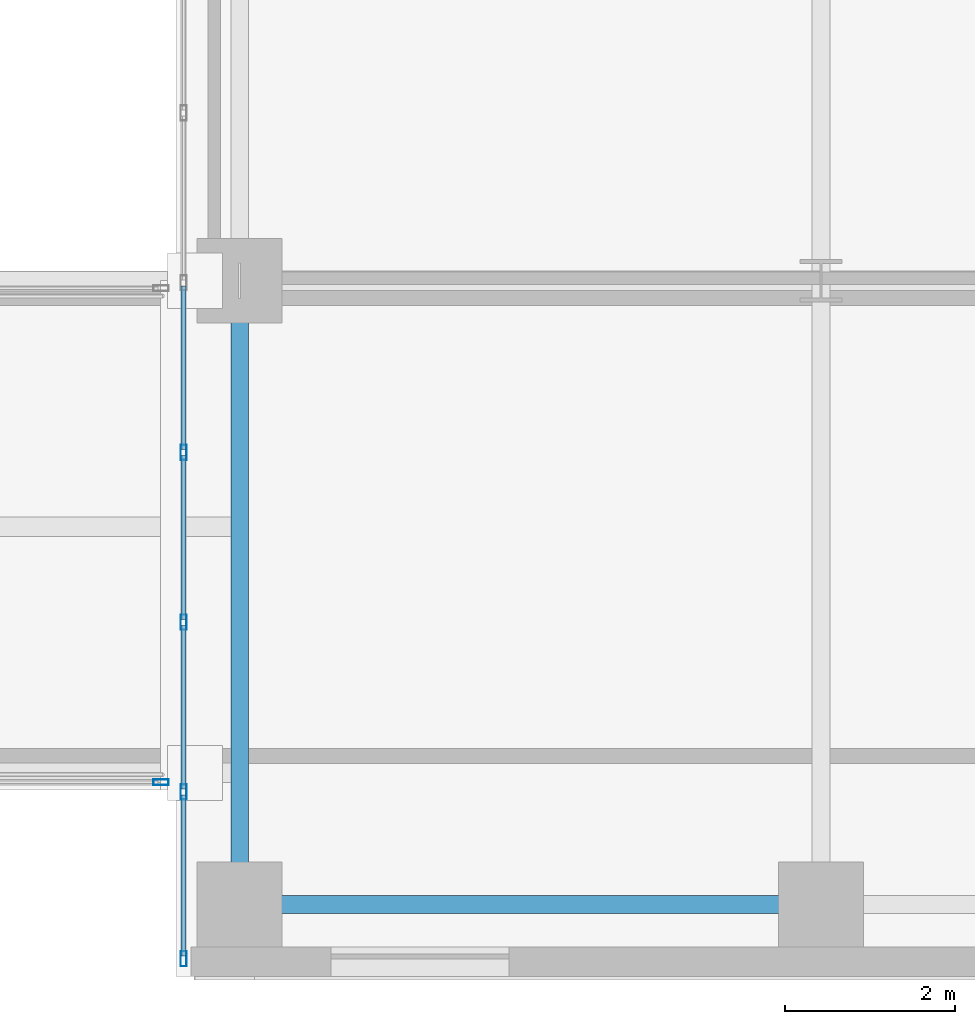
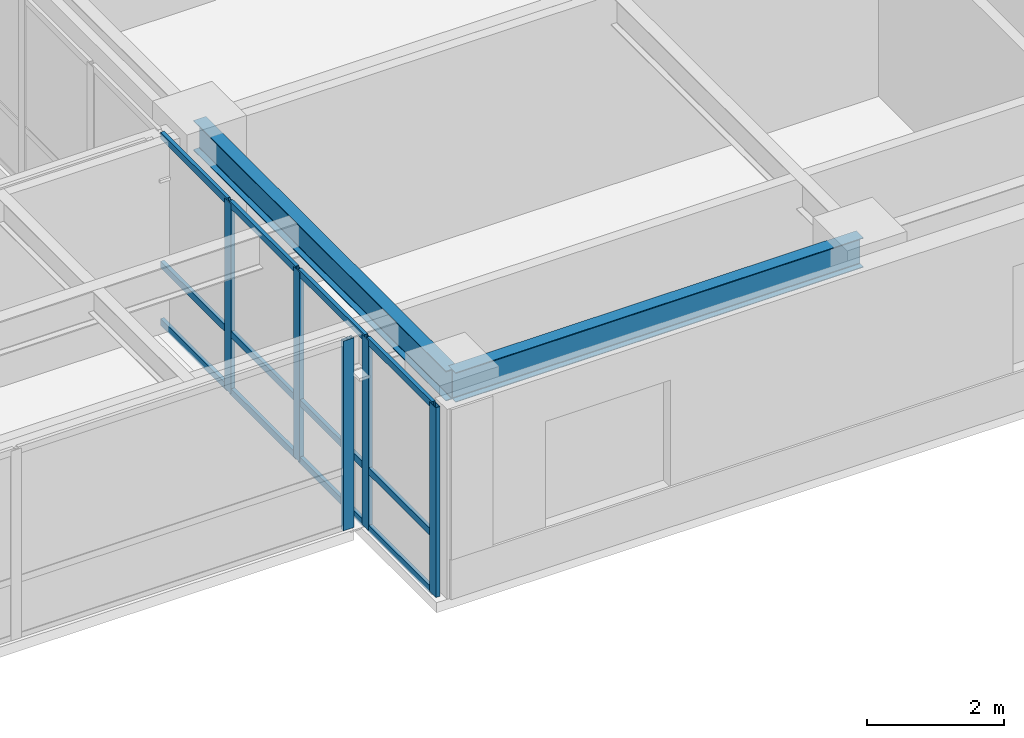
# One storey, part 8 of 31: 17 members, 2 beams, 2 elements without a shape of their own.
"""IFC4 building model written with IfcOpenShell, lengths in metres."""

import ifcopenshell
import ifcopenshell.guid

model = None  # the IFC model being written
_history = None  # IfcOwnerHistory: only IFC2X3 demands one
_inside = {}  # id of a spatial element -> (the spatial element, [elements in it])
_under = {}  # id of a project, library or spatial element -> (it, [spatial elements below it])
_declared = {}  # id of a project -> (the project, [libraries it declares])
_typed = {}  # id of a type object -> (the type object, [elements of that type])
_made_of = {}  # id of a material, layer set ... -> (it, [elements and type objects made of it])


def new_model(schema):
    """Start an empty IFC model of exactly this schema.

    Asked for "IFC4X3", IfcOpenShell would pick the latest addendum, in which some entities
    have other attributes; the version numbers below select the first issue.
    IFC2X3 requires an IfcOwnerHistory on every rooted entity: one is made here for all.
    """
    global model, _history
    if schema == "IFC4X3":
        model = ifcopenshell.file(schema_version=(4, 3, 0, 0))
    else:
        model = ifcopenshell.file(schema=schema)
    _inside.clear()
    _under.clear()
    _declared.clear()
    _typed.clear()
    _made_of.clear()
    _history = None
    if model.schema == "IFC2X3":
        org = make("IfcOrganization", Name="unknown")
        user = make(
            "IfcPersonAndOrganization",
            ThePerson=make("IfcPerson", FamilyName="unknown"),
            TheOrganization=org,
        )
        app = make(
            "IfcApplication",
            ApplicationDeveloper=org,
            Version="unknown",
            ApplicationFullName="unknown",
            ApplicationIdentifier="unknown",
        )
        _history = make(
            "IfcOwnerHistory",
            OwningUser=user,
            OwningApplication=app,
            ChangeAction="ADDED",
            CreationDate=0,
        )
    return model


def make(cls, **values):
    """One entity of the class cls with the attributes given. An attribute that is None is left unset."""
    return model.create_entity(
        cls, **{name: value for name, value in values.items() if value is not None}
    )


def rooted(cls, **values):
    """An entity with a GlobalId (a new one), such as an element, a storey or a relation."""
    return make(cls, GlobalId=ifcopenshell.guid.new(), OwnerHistory=_history, **values)


def si_unit(unit_type, name, prefix=None):
    """IfcSIUnit, for example si_unit("LENGTHUNIT", "METRE", prefix="MILLI")."""
    return make("IfcSIUnit", UnitType=unit_type, Prefix=prefix, Name=name)


def assignment(units):
    """IfcUnitAssignment: the units of a project."""
    return None if units is None else make("IfcUnitAssignment", Units=units)


def point(xyz):
    """IfcCartesianPoint."""
    return None if xyz is None else make("IfcCartesianPoint", Coordinates=xyz)


def direction(xyz):
    """IfcDirection."""
    return None if xyz is None else make("IfcDirection", DirectionRatios=xyz)


def frame(location, z_axis=None, x_axis=None):
    """IfcAxis2Placement3D, a coordinate frame: its origin and axes. An axis left out is left unset."""
    return make(
        "IfcAxis2Placement3D",
        Location=point(location),
        Axis=direction(z_axis),
        RefDirection=direction(x_axis),
    )


def frame_2d(location, x_axis=None):
    """IfcAxis2Placement2D, a coordinate frame in the plane: its origin and x axis."""
    return make(
        "IfcAxis2Placement2D", Location=point(location), RefDirection=direction(x_axis)
    )


def origin():
    """The frame at (0, 0, 0) with its axes left unset."""
    return frame((0.0, 0.0, 0.0))


def origin_2d():
    """The frame at (0, 0) in the plane with its x axis left unset."""
    return frame_2d((0.0, 0.0))


def place(relative_to, where):
    """IfcLocalPlacement: puts the frame where relative to a parent placement (None: the world)."""
    return make(
        "IfcLocalPlacement", PlacementRelTo=relative_to, RelativePlacement=where
    )


def context(
    kind, dimensions, precision=None, world=None, true_north=None, identifier=None
):
    """IfcGeometricRepresentationContext, for example the 3D "Model" context."""
    return make(
        "IfcGeometricRepresentationContext",
        ContextIdentifier=identifier,
        ContextType=kind,
        CoordinateSpaceDimension=dimensions,
        Precision=precision,
        WorldCoordinateSystem=world,
        TrueNorth=true_north,
    )


def subcontext(parent, identifier, kind, view, scale=None):
    """IfcGeometricRepresentationSubContext, for example "Body" below "Model"."""
    return make(
        "IfcGeometricRepresentationSubContext",
        ContextIdentifier=identifier,
        ContextType=kind,
        ParentContext=parent,
        TargetScale=scale,
        TargetView=view,
    )


def project(units=None, contexts=None):
    """IfcProject with its units and contexts."""
    return rooted(
        "IfcProject",
        Name="project",
        RepresentationContexts=contexts,
        UnitsInContext=assignment(units),
    )


def spatial(cls, under=None, at=None, **own):
    """A site, building, storey or space (cls), placed at a placement, below another one or the project."""
    s = rooted(cls, ObjectPlacement=at, **own)
    if under is not None:
        _under.setdefault(under.id(), (under, []))[1].append(s)
    return s


def profile(cls, at=None, kind="AREA", **sizes):
    """A parametric profile (cls). Its sizes go by their IFC names, for example OverallWidth=200.0."""
    return make(cls, ProfileType=kind, Position=at, **sizes)


def hollow_rectangle(**sizes):
    """IfcRectangleHollowProfileDef."""
    return profile("IfcRectangleHollowProfileDef", **sizes)


def i_section(**sizes):
    """IfcIShapeProfileDef."""
    return profile("IfcIShapeProfileDef", **sizes)


def extrude(swept, where, along, depth):
    """IfcExtrudedAreaSolid: the profile swept, set in the frame where, extruded along a direction by depth."""
    return make(
        "IfcExtrudedAreaSolid",
        SweptArea=swept,
        Position=where,
        ExtrudedDirection=direction(along),
        Depth=depth,
    )


def shape(context_of_items, identifier, shape_type, items):
    """IfcShapeRepresentation: the items that make up one representation, for example the "Body"."""
    return make(
        "IfcShapeRepresentation",
        ContextOfItems=context_of_items,
        RepresentationIdentifier=identifier,
        RepresentationType=shape_type,
        Items=items,
    )


def source(mapping_origin, context_of_items, identifier, shape_type, items):
    """IfcRepresentationMap: a shape defined once, which mapped items show again and again."""
    return make(
        "IfcRepresentationMap",
        MappingOrigin=mapping_origin,
        MappedRepresentation=shape(context_of_items, identifier, shape_type, items),
    )


def transform(
    local_origin,
    x_axis=None,
    y_axis=None,
    z_axis=None,
    scale=None,
    scale2=None,
    scale3=None,
    uniform=True,
):
    """IfcCartesianTransformationOperator3D, or its non-uniform kind. x_axis, y_axis, z_axis: its Axis1, 2, 3."""
    if uniform:
        return make(
            "IfcCartesianTransformationOperator3D",
            Axis1=direction(x_axis),
            Axis2=direction(y_axis),
            LocalOrigin=point(local_origin),
            Scale=scale,
            Axis3=direction(z_axis),
        )
    return make(
        "IfcCartesianTransformationOperator3DnonUniform",
        Axis1=direction(x_axis),
        Axis2=direction(y_axis),
        LocalOrigin=point(local_origin),
        Scale=scale,
        Axis3=direction(z_axis),
        Scale2=scale2,
        Scale3=scale3,
    )


def mapped(mapping_source, mapping_target):
    """IfcMappedItem: shows the shape of a source again, moved by a transform."""
    return make(
        "IfcMappedItem", MappingSource=mapping_source, MappingTarget=mapping_target
    )


def material(Name=None, Category=None):
    """IfcMaterial."""
    return make("IfcMaterial", Name=Name, Category=Category)


def layer(
    of_material, thickness, ventilated=None, Name=None, Category=None, Priority=None
):
    """IfcMaterialLayer: one layer of a wall or slab, of a material (None: an air gap)."""
    return make(
        "IfcMaterialLayer",
        Material=of_material,
        LayerThickness=thickness,
        IsVentilated=ventilated,
        Name=Name,
        Category=Category,
        Priority=Priority,
    )


def layer_set(layers, Name=None):
    """IfcMaterialLayerSet."""
    return make("IfcMaterialLayerSet", MaterialLayers=layers, LayerSetName=Name)


def material_profile(
    of_material, cross_section, Name=None, Category=None, Priority=None
):
    """IfcMaterialProfile: a cross section and its material."""
    return make(
        "IfcMaterialProfile",
        Name=Name,
        Material=of_material,
        Profile=cross_section,
        Priority=Priority,
        Category=Category,
    )


def profile_set(profiles, Name=None, composite=None):
    """IfcMaterialProfileSet."""
    return make(
        "IfcMaterialProfileSet",
        Name=Name,
        MaterialProfiles=profiles,
        CompositeProfile=composite,
    )


def made_of(thing, what):
    """Note that an element or type object is made of a material, layer set ...; save() writes the relation."""
    if what is not None:
        _made_of.setdefault(what.id(), (what, []))[1].append(thing)
    return thing


def type_object(cls, material=None, **own):
    """A type object (cls), such as IfcWallType, which elements share."""
    return made_of(rooted(cls, **own), material)


def type_shapes(of_type, sources):
    """Give a type object the sources (RepresentationMaps) that its elements show as mapped items."""
    of_type.RepresentationMaps = sources


def element(
    cls,
    number,
    at=None,
    inside=None,
    cuts=None,
    type_object=None,
    material=None,
    context=None,
    identifier="Body",
    shape_type=None,
    held_by="IfcProductDefinitionShape",
    body=None,
    shapes=None,
    **own,
):
    """One element of the class cls, such as IfcWall. Its Tag is "e" and its number.

    at: its placement. inside: the storey or other place that contains it. cuts: it is an
    opening in that element (IfcRelVoidsElement). A single representation is given by context,
    identifier, shape_type and body (its items); several are given by shapes. held_by: the class
    of the entity that holds the representations. save() writes the other relations.
    """
    e = rooted(cls, Tag="e%d" % number, ObjectPlacement=at, **own)
    if body is not None:
        shapes = [shape(context, identifier, shape_type, body)]
    if shapes is not None:
        e.Representation = make(held_by, Representations=shapes)
    if inside is not None:
        _inside.setdefault(inside.id(), (inside, []))[1].append(e)
    if cuts is not None:
        rooted(
            "IfcRelVoidsElement", RelatingBuildingElement=cuts, RelatedOpeningElement=e
        )
    if type_object is not None:
        _typed.setdefault(type_object.id(), (type_object, []))[1].append(e)
    return made_of(e, material)


def aggregate(whole, parts):
    """IfcRelAggregates: a whole, such as a stair, and the parts it consists of."""
    return rooted("IfcRelAggregates", RelatingObject=whole, RelatedObjects=parts)


def save(model, path):
    """Write the relations noted so far, then the file.

    IfcRelAggregates (storeys below a building ...), IfcRelContainedInSpatialStructure (elements
    in a storey), IfcRelDefinesByType, IfcRelAssociatesMaterial and IfcRelDeclares: one each for
    every whole, place, type object, material and project.
    """
    for whole, parts in _under.values():
        aggregate(whole, parts)
    for where, things in _inside.values():
        rooted(
            "IfcRelContainedInSpatialStructure",
            RelatedElements=things,
            RelatingStructure=where,
        )
    for kind, things in _typed.values():
        rooted("IfcRelDefinesByType", RelatedObjects=things, RelatingType=kind)
    for what, things in _made_of.values():
        rooted("IfcRelAssociatesMaterial", RelatedObjects=things, RelatingMaterial=what)
    for by, libraries in _declared.values():
        rooted("IfcRelDeclares", RelatingContext=by, RelatedDefinitions=libraries)
    model.write(path)


model = new_model("IFC4")

# Units and contexts
model_context = context("Model", 3, precision=1e-05, world=origin(), true_north=direction((0.0, 1.0)))
body_context = subcontext(model_context, "Body", "Model", "MODEL_VIEW")
ifc_project = project(units=[si_unit("LENGTHUNIT", "METRE"), si_unit("AREAUNIT", "SQUARE_METRE"), si_unit("VOLUMEUNIT", "CUBIC_METRE"), si_unit("PLANEANGLEUNIT", "RADIAN"), si_unit("MASSUNIT", "GRAM", prefix="KILO")], contexts=[model_context])

# Site, building, storey
site_placement = place(None, origin())
site = spatial("IfcSite", under=ifc_project, at=site_placement, CompositionType="ELEMENT")
building_placement = place(site_placement, origin())
building = spatial("IfcBuilding", under=site, at=building_placement, Name="Tolvann Quenvar Hotel", CompositionType="ELEMENT")
storey_placement = place(building_placement, frame((0.0, 0.0, 74.60009765625)))
storey = spatial("IfcBuildingStorey", under=building, at=storey_placement, Name="L18", CompositionType="ELEMENT", Elevation=74.60009765625)

# Beams
ifc_material_1 = material(Name="Steel Grade 350", Category="steel")
ifc_material_profile_1 = material_profile(ifc_material_1, i_section(OverallWidth=0.208984375, OverallDepth=0.528076171875, WebThickness=0.009521484375, FlangeThickness=0.01318359375, FilletRadius=0.013916015625, at=origin_2d()), Name="530UB82")
ifc_profile_set_1 = profile_set([ifc_material_profile_1], Name="Steel Grade 350")
beam_type_1 = type_object("IfcBeamType", Name="BM_SPAND_530UB82", PredefinedType="SPANDREL", material=ifc_profile_set_1)
shared_shape_1 = source(origin(), body_context, "Body", "SweptSolid", [
    extrude(i_section(OverallWidth=0.208984375, OverallDepth=0.528076171875, WebThickness=0.009521484375, FlangeThickness=0.01318359375, FilletRadius=0.013916015625, at=origin_2d()), origin(), (0.0, 0.0, 1.0), 6.85009765625),
])
type_shapes(beam_type_1, [shared_shape_1])
beam_1_placement = place(storey_placement, frame((34.949951171875, 0.85009765625, 3.10595703125), z_axis=(1.0, 0.0, 0.0), x_axis=(0.0, 1.0, 0.0)))
element("IfcBeam", 1, at=beam_1_placement, inside=storey, type_object=beam_type_1, Name="BM-L18-EW-2-F2-H2", PredefinedType="SPANDREL", context=body_context, shape_type="MappedRepresentation", body=[
    mapped(shared_shape_1, transform((0.0, 0.0, 0.0), x_axis=(1.0, 0.0, 0.0), y_axis=(0.0, 1.0, 0.0), z_axis=(0.0, 0.0, 1.0), scale=1.0)),
])
ifc_material_profile_2 = material_profile(ifc_material_1, i_section(OverallWidth=0.208984375, OverallDepth=0.532958984375, WebThickness=0.01025390625, FlangeThickness=0.015625, FilletRadius=0.013916015625, at=origin_2d()), Name="530UB92")
ifc_profile_set_2 = profile_set([ifc_material_profile_2], Name="Steel Grade 350")
beam_type_2 = type_object("IfcBeamType", Name="BM_GIRD_530UB92", PredefinedType="BEAM", material=ifc_profile_set_2)
shared_shape_2 = source(origin(), body_context, "Body", "SweptSolid", [
    extrude(i_section(OverallWidth=0.208984375, OverallDepth=0.532958984375, WebThickness=0.01025390625, FlangeThickness=0.015625, FilletRadius=0.013916015625, at=origin_2d()), origin(), (0.0, 0.0, 1.0), 7.349853515625),
])
type_shapes(beam_type_2, [shared_shape_2])
beam_2_placement = place(storey_placement, frame((34.949951171875, 0.85009765625, 3.103515625), z_axis=(0.0, 1.0, 0.0), x_axis=(-1.0, 0.0, 0.0)))
element("IfcBeam", 2, at=beam_2_placement, inside=storey, type_object=beam_type_2, Name="BM-L18-NS-F2-F3", PredefinedType="BEAM", context=body_context, shape_type="MappedRepresentation", body=[
    mapped(shared_shape_2, transform((0.0, 0.0, 0.0), x_axis=(1.0, 0.0, 0.0), y_axis=(0.0, 1.0, 0.0), z_axis=(0.0, 0.0, 1.0), scale=1.0)),
])

# Curtain wall, members
ifc_material_2 = material(Name="Thermally broken anodised architectural aluminium 6063-T6 and laminated low-E glass", Category="aluminium")
ifc_layer = layer(ifc_material_2, 0.179931640625)
ifc_layer_set = layer_set([ifc_layer], Name="Thermally broken anodised architectural aluminium 6063-T6 and laminated low-E glass")
curtain_wall_type = type_object("IfcCurtainWallType", Name="CW_SYS_SLOT_03", PredefinedType="USERDEFINED", material=ifc_layer_set)
curtain_wall_1_placement = place(storey_placement, origin())
curtain_wall_1 = element("IfcCurtainWall", 3, at=curtain_wall_1_placement, inside=storey, type_object=curtain_wall_type, Name="Curtain Wall CW-SLOT-03 (CWR-L18-E07)", ObjectType="UNITISED CURTAIN WALL", PredefinedType="USERDEFINED")
ifc_material_3 = material(Name="Anodised architectural aluminium 6063-T6 framing", Category="aluminium")
ifc_material_profile_3 = material_profile(ifc_material_3, hollow_rectangle(XDim=0.06005859375, YDim=0.1201171875, WallThickness=0.00341796875, at=origin_2d()), Name="120x60x3.5RHS")
ifc_profile_set_3 = profile_set([ifc_material_profile_3], Name="Anodised architectural aluminium 6063-T6 framing")
member_type_1 = type_object("IfcMemberType", Name="CW_TRAN_120x60", PredefinedType="USERDEFINED", material=ifc_profile_set_3)
shared_shape_3 = source(origin(), body_context, "Body", "SweptSolid", [
    extrude(hollow_rectangle(XDim=0.06005859375, YDim=0.1201171875, WallThickness=0.00341796875, at=origin_2d()), origin(), (0.0, 0.0, 1.0), 1.894775390625),
])
member_1_placement = place(storey_placement, frame((34.2900390625, 2.139892578125, 0.02978515625), z_axis=(0.0, -1.0, 0.0), x_axis=(1.0, 0.0, 0.0)))
member_1 = element("IfcMember", 4, at=member_1_placement, type_object=member_type_1, Name="CW-SLOT-03 transom 8.1", ObjectType="TRANSOM", PredefinedType="USERDEFINED", context=body_context, shape_type="MappedRepresentation", body=[
    mapped(shared_shape_3, transform((0.0, 0.0, 0.0), x_axis=(1.0, 0.0, 0.0), y_axis=(0.0, 1.0, 0.0), z_axis=(0.0, 0.0, 1.0), scale=1.0)),
])
member_2_placement = place(storey_placement, frame((34.2900390625, 2.139892578125, 1.0498046875), z_axis=(0.0, -1.0, 0.0), x_axis=(1.0, 0.0, 0.0)))
member_2 = element("IfcMember", 5, at=member_2_placement, type_object=member_type_1, Name="CW-SLOT-03 transom 8.2", ObjectType="TRANSOM", PredefinedType="USERDEFINED", context=body_context, shape_type="MappedRepresentation", body=[
    mapped(shared_shape_3, transform((0.0, 0.0, 0.0), x_axis=(1.0, 0.0, 0.0), y_axis=(0.0, 1.0, 0.0), z_axis=(0.0, 0.0, 1.0), scale=1.0)),
])
member_3_placement = place(storey_placement, frame((34.2900390625, 2.139892578125, 3.33984375), z_axis=(0.0, -1.0, 0.0), x_axis=(1.0, 0.0, 0.0)))
member_3 = element("IfcMember", 6, at=member_3_placement, type_object=member_type_1, Name="CW-SLOT-03 transom 8.3", ObjectType="TRANSOM", PredefinedType="USERDEFINED", context=body_context, shape_type="MappedRepresentation", body=[
    mapped(shared_shape_3, transform((0.0, 0.0, 0.0), x_axis=(1.0, 0.0, 0.0), y_axis=(0.0, 1.0, 0.0), z_axis=(0.0, 0.0, 1.0), scale=1.0)),
])
shared_shape_4 = source(origin(), body_context, "Body", "SweptSolid", [
    extrude(hollow_rectangle(XDim=0.06005859375, YDim=0.1201171875, WallThickness=0.00341796875, at=origin_2d()), origin(), (0.0, 0.0, 1.0), 1.929931640625),
])
type_shapes(member_type_1, [shared_shape_3, shared_shape_4])
member_4_placement = place(storey_placement, frame((34.2900390625, 8.139892578125, 0.02978515625), z_axis=(0.0, -1.0, 0.0), x_axis=(1.0, 0.0, 0.0)))
member_4 = element("IfcMember", 7, at=member_4_placement, type_object=member_type_1, Name="CW-SLOT-03 transom 5.1", ObjectType="TRANSOM", PredefinedType="USERDEFINED", context=body_context, shape_type="MappedRepresentation", body=[
    mapped(shared_shape_4, transform((0.0, 0.0, 0.0), x_axis=(1.0, 0.0, 0.0), y_axis=(0.0, 1.0, 0.0), z_axis=(0.0, 0.0, 1.0), scale=1.0)),
])
member_5_placement = place(storey_placement, frame((34.2900390625, 8.139892578125, 1.0498046875), z_axis=(0.0, -1.0, 0.0), x_axis=(1.0, 0.0, 0.0)))
member_5 = element("IfcMember", 8, at=member_5_placement, type_object=member_type_1, Name="CW-SLOT-03 transom 5.2", ObjectType="TRANSOM", PredefinedType="USERDEFINED", context=body_context, shape_type="MappedRepresentation", body=[
    mapped(shared_shape_4, transform((0.0, 0.0, 0.0), x_axis=(1.0, 0.0, 0.0), y_axis=(0.0, 1.0, 0.0), z_axis=(0.0, 0.0, 1.0), scale=1.0)),
])
member_6_placement = place(storey_placement, frame((34.2900390625, 8.139892578125, 3.33984375), z_axis=(0.0, -1.0, 0.0), x_axis=(1.0, 0.0, 0.0)))
member_6 = element("IfcMember", 9, at=member_6_placement, type_object=member_type_1, Name="CW-SLOT-03 transom 5.3", ObjectType="TRANSOM", PredefinedType="USERDEFINED", context=body_context, shape_type="MappedRepresentation", body=[
    mapped(shared_shape_4, transform((0.0, 0.0, 0.0), x_axis=(1.0, 0.0, 0.0), y_axis=(0.0, 1.0, 0.0), z_axis=(0.0, 0.0, 1.0), scale=1.0)),
])
member_7_placement = place(storey_placement, frame((34.2900390625, 6.139892578125, 0.02978515625), z_axis=(0.0, -1.0, 0.0), x_axis=(1.0, 0.0, 0.0)))
member_7 = element("IfcMember", 10, at=member_7_placement, type_object=member_type_1, Name="CW-SLOT-03 transom 6.1", ObjectType="TRANSOM", PredefinedType="USERDEFINED", context=body_context, shape_type="MappedRepresentation", body=[
    mapped(shared_shape_4, transform((0.0, 0.0, 0.0), x_axis=(1.0, 0.0, 0.0), y_axis=(0.0, 1.0, 0.0), z_axis=(0.0, 0.0, 1.0), scale=1.0)),
])
member_8_placement = place(storey_placement, frame((34.2900390625, 6.139892578125, 1.0498046875), z_axis=(0.0, -1.0, 0.0), x_axis=(1.0, 0.0, 0.0)))
member_8 = element("IfcMember", 11, at=member_8_placement, type_object=member_type_1, Name="CW-SLOT-03 transom 6.2", ObjectType="TRANSOM", PredefinedType="USERDEFINED", context=body_context, shape_type="MappedRepresentation", body=[
    mapped(shared_shape_4, transform((0.0, 0.0, 0.0), x_axis=(1.0, 0.0, 0.0), y_axis=(0.0, 1.0, 0.0), z_axis=(0.0, 0.0, 1.0), scale=1.0)),
])
member_9_placement = place(storey_placement, frame((34.2900390625, 6.139892578125, 3.33984375), z_axis=(0.0, -1.0, 0.0), x_axis=(1.0, 0.0, 0.0)))
member_9 = element("IfcMember", 12, at=member_9_placement, type_object=member_type_1, Name="CW-SLOT-03 transom 6.3", ObjectType="TRANSOM", PredefinedType="USERDEFINED", context=body_context, shape_type="MappedRepresentation", body=[
    mapped(shared_shape_4, transform((0.0, 0.0, 0.0), x_axis=(1.0, 0.0, 0.0), y_axis=(0.0, 1.0, 0.0), z_axis=(0.0, 0.0, 1.0), scale=1.0)),
])
member_10_placement = place(storey_placement, frame((34.2900390625, 4.139892578125, 0.02978515625), z_axis=(0.0, -1.0, 0.0), x_axis=(1.0, 0.0, 0.0)))
member_10 = element("IfcMember", 13, at=member_10_placement, type_object=member_type_1, Name="CW-SLOT-03 transom 7.1", ObjectType="TRANSOM", PredefinedType="USERDEFINED", context=body_context, shape_type="MappedRepresentation", body=[
    mapped(shared_shape_4, transform((0.0, 0.0, 0.0), x_axis=(1.0, 0.0, 0.0), y_axis=(0.0, 1.0, 0.0), z_axis=(0.0, 0.0, 1.0), scale=1.0)),
])
member_11_placement = place(storey_placement, frame((34.2900390625, 4.139892578125, 1.0498046875), z_axis=(0.0, -1.0, 0.0), x_axis=(1.0, 0.0, 0.0)))
member_11 = element("IfcMember", 14, at=member_11_placement, type_object=member_type_1, Name="CW-SLOT-03 transom 7.2", ObjectType="TRANSOM", PredefinedType="USERDEFINED", context=body_context, shape_type="MappedRepresentation", body=[
    mapped(shared_shape_4, transform((0.0, 0.0, 0.0), x_axis=(1.0, 0.0, 0.0), y_axis=(0.0, 1.0, 0.0), z_axis=(0.0, 0.0, 1.0), scale=1.0)),
])
member_12_placement = place(storey_placement, frame((34.2900390625, 4.139892578125, 3.33984375), z_axis=(0.0, -1.0, 0.0), x_axis=(1.0, 0.0, 0.0)))
member_12 = element("IfcMember", 15, at=member_12_placement, type_object=member_type_1, Name="CW-SLOT-03 transom 7.3", ObjectType="TRANSOM", PredefinedType="USERDEFINED", context=body_context, shape_type="MappedRepresentation", body=[
    mapped(shared_shape_4, transform((0.0, 0.0, 0.0), x_axis=(1.0, 0.0, 0.0), y_axis=(0.0, 1.0, 0.0), z_axis=(0.0, 0.0, 1.0), scale=1.0)),
])
ifc_material_profile_4 = material_profile(ifc_material_3, hollow_rectangle(XDim=0.070068359375, YDim=0.179931640625, WallThickness=0.00390625, at=origin_2d()), Name="180x70x4RHS")
ifc_profile_set_4 = profile_set([ifc_material_profile_4], Name="Anodised architectural aluminium 6063-T6 framing")
member_type_2 = type_object("IfcMemberType", Name="CW_MULL_180x70", PredefinedType="MULLION", material=ifc_profile_set_4)
shared_shape_5 = source(origin(), body_context, "Body", "SweptSolid", [
    extrude(hollow_rectangle(XDim=0.070068359375, YDim=0.179931640625, WallThickness=0.00390625, at=origin_2d()), origin(), (0.0, 0.0, 1.0), 3.369873046875),
])
type_shapes(member_type_2, [shared_shape_5])
member_13_placement = place(storey_placement, frame((34.2900390625, 6.175048828125, 0.0), z_axis=(0.0, 0.0, 1.0), x_axis=(1.0, 0.0, 0.0)))
member_13 = element("IfcMember", 16, at=member_13_placement, type_object=member_type_2, Name="CW-SLOT-03 mullion 6", PredefinedType="MULLION", context=body_context, shape_type="MappedRepresentation", body=[
    mapped(shared_shape_5, transform((0.0, 0.0, 0.0), x_axis=(1.0, 0.0, 0.0), y_axis=(0.0, 1.0, 0.0), z_axis=(0.0, 0.0, 1.0), scale=1.0)),
])
member_14_placement = place(storey_placement, frame((34.2900390625, 4.175048828125, 0.0), z_axis=(0.0, 0.0, 1.0), x_axis=(1.0, 0.0, 0.0)))
member_14 = element("IfcMember", 17, at=member_14_placement, type_object=member_type_2, Name="CW-SLOT-03 mullion 7", PredefinedType="MULLION", context=body_context, shape_type="MappedRepresentation", body=[
    mapped(shared_shape_5, transform((0.0, 0.0, 0.0), x_axis=(1.0, 0.0, 0.0), y_axis=(0.0, 1.0, 0.0), z_axis=(0.0, 0.0, 1.0), scale=1.0)),
])
member_15_placement = place(storey_placement, frame((34.2900390625, 2.175048828125, 0.0), z_axis=(0.0, 0.0, 1.0), x_axis=(1.0, 0.0, 0.0)))
member_15 = element("IfcMember", 18, at=member_15_placement, type_object=member_type_2, Name="CW-SLOT-03 mullion 8", PredefinedType="MULLION", context=body_context, shape_type="MappedRepresentation", body=[
    mapped(shared_shape_5, transform((0.0, 0.0, 0.0), x_axis=(1.0, 0.0, 0.0), y_axis=(0.0, 1.0, 0.0), z_axis=(0.0, 0.0, 1.0), scale=1.0)),
])
member_16_placement = place(storey_placement, frame((34.2900390625, 0.2099609375, 0.0), z_axis=(0.0, 0.0, 1.0), x_axis=(1.0, 0.0, 0.0)))
member_16 = element("IfcMember", 19, at=member_16_placement, type_object=member_type_2, Name="CW-SLOT-03 mullion 9", PredefinedType="MULLION", context=body_context, shape_type="MappedRepresentation", body=[
    mapped(shared_shape_5, transform((0.0, 0.0, 0.0), x_axis=(1.0, 0.0, 0.0), y_axis=(0.0, 1.0, 0.0), z_axis=(0.0, 0.0, 1.0), scale=1.0)),
])
aggregate(curtain_wall_1, [member_13, member_14, member_15, member_16, member_4, member_5, member_6, member_7, member_8, member_9, member_10, member_11, member_12, member_1, member_2, member_3])

# Curtain wall, member
curtain_wall_2_placement = place(storey_placement, origin())
curtain_wall_2 = element("IfcCurtainWall", 20, at=curtain_wall_2_placement, inside=storey, type_object=curtain_wall_type, Name="Curtain Wall CW-SLOT-03 (CWR-BRG-L18-S)", ObjectType="UNITISED CURTAIN WALL", PredefinedType="USERDEFINED")
member_17_placement = place(storey_placement, frame((34.02490234375, 2.2900390625, 0.0), z_axis=(0.0, 0.0, 1.0), x_axis=(0.0, 1.0, 0.0)))
member_17 = element("IfcMember", 21, at=member_17_placement, type_object=member_type_2, Name="CW-SLOT-03 mullion 3", PredefinedType="MULLION", context=body_context, shape_type="MappedRepresentation", body=[
    mapped(shared_shape_5, transform((0.0, 0.0, 0.0), x_axis=(1.0, 0.0, 0.0), y_axis=(0.0, 1.0, 0.0), z_axis=(0.0, 0.0, 1.0), scale=1.0)),
])
aggregate(curtain_wall_2, [member_17])

save(model, "model.ifc")
